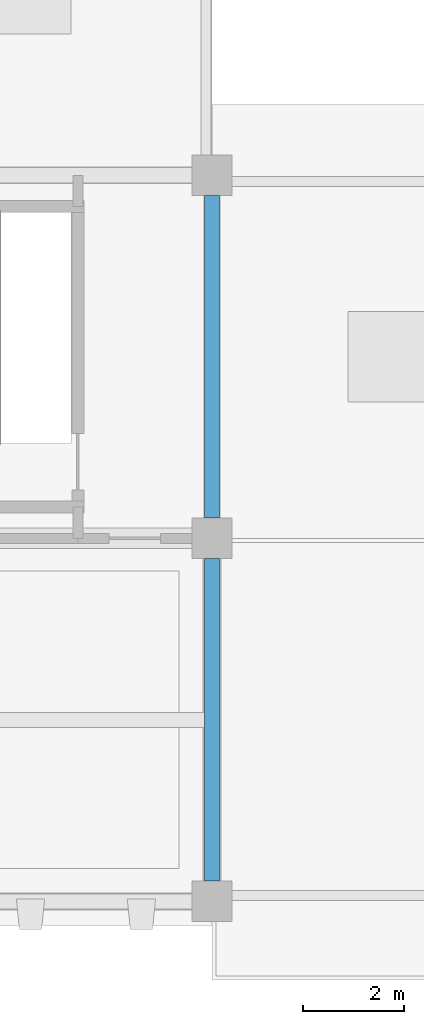
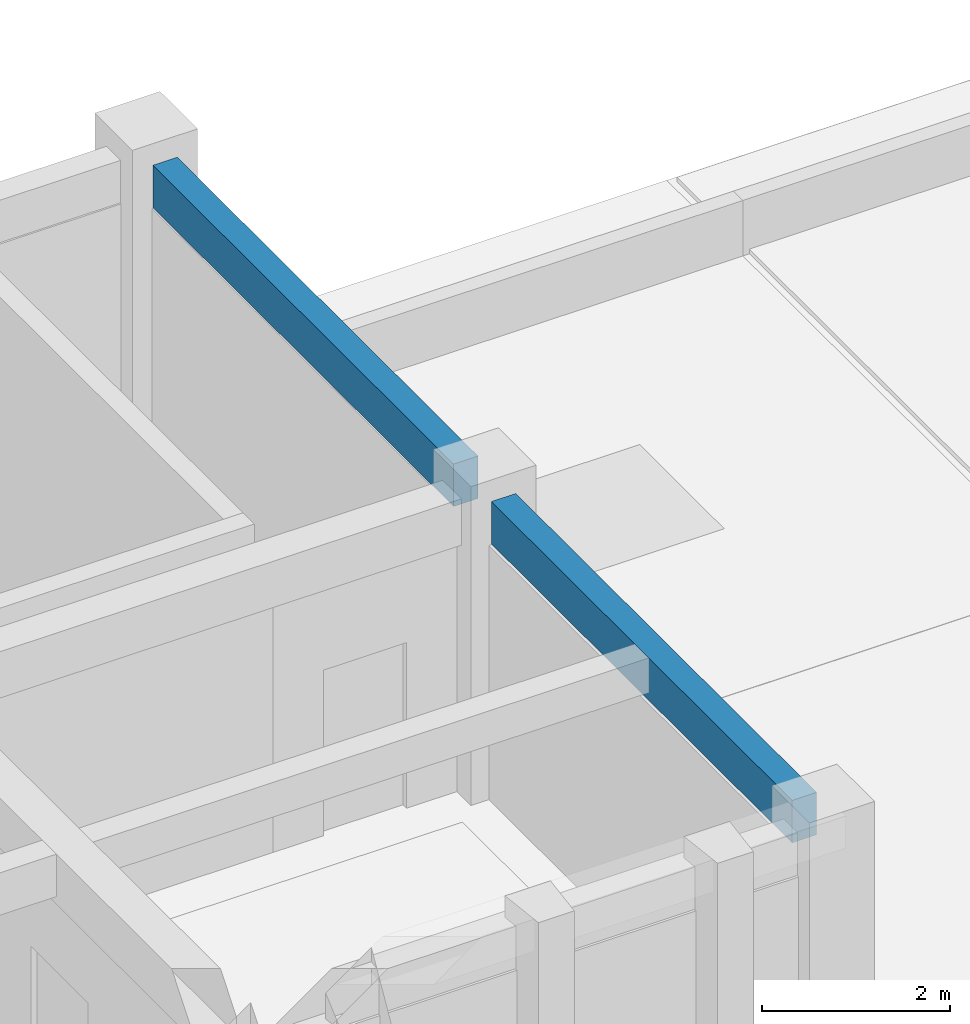
# One storey, part 9 of 62: 2 beams.
"""IFC4 building model written with IfcOpenShell, lengths in metres."""

from ifc_helpers import new_model, si_unit, direction, frame, origin, origin_2d, place, context, subcontext, project, spatial, rectangle, extrude, material, material_profile, profile_set, type_object, element, save


model = new_model("IFC4")

# Units and contexts
model_context = context("Model", 3, precision=1e-05, world=origin(), true_north=direction((0.0, 1.0)))
body_context = subcontext(model_context, "Body", "Model", "MODEL_VIEW")
ifc_project = project(units=[si_unit("LENGTHUNIT", "METRE"), si_unit("AREAUNIT", "SQUARE_METRE"), si_unit("VOLUMEUNIT", "CUBIC_METRE"), si_unit("PLANEANGLEUNIT", "RADIAN"), si_unit("MASSUNIT", "GRAM", prefix="KILO")], contexts=[model_context])

# Site, building, storey
site_placement = place(None, origin())
site = spatial("IfcSite", under=ifc_project, at=site_placement, CompositionType="ELEMENT")
building_placement = place(site_placement, origin())
building = spatial("IfcBuilding", under=site, at=building_placement, Name="Kavelor Marine Aquarium", CompositionType="ELEMENT")
storey_placement = place(building_placement, frame((0.0, 0.0, 13.5)))
storey = spatial("IfcBuildingStorey", under=building, at=storey_placement, Name="L03", CompositionType="ELEMENT", Elevation=13.5)

# Beams
ifc_material = material(Name="Concrete C40/50", Category="concrete")
ifc_material_profile = material_profile(ifc_material, rectangle(XDim=0.300048828125, YDim=0.550048828125, at=origin_2d()), Name="RC-SP 300x550")
ifc_profile_set = profile_set([ifc_material_profile], Name="Concrete C40/50")
beam_type = type_object("IfcBeamType", Name="BM-SP2", PredefinedType="SPANDREL", material=ifc_profile_set)
for number, where, z_axis, x_axis, name in (
    (1, (68.0, 3.199951171875, 3.5849609375), (0.0, 1.0, 0.0), (-1.0, 0.0, 0.0), "bm:y:L03:L04:09_00"),
    (2, (68.0, 10.39990234375, 3.5849609375), (0.0, 1.0, 0.0), (-1.0, 0.0, 0.0), "bm:y:L03:L04:09_01"),
):
    element("IfcBeam", number, at=place(storey_placement, frame(where, z_axis=z_axis, x_axis=x_axis)), inside=storey, type_object=beam_type, Name=name, PredefinedType="SPANDREL", context=body_context, shape_type="SweptSolid", body=[
        extrude(rectangle(XDim=0.300048828125, YDim=0.550048828125, at=origin_2d()), origin(), (0.0, 0.0, 1.0), 6.400146484375),
    ])

save(model, "model.ifc")
